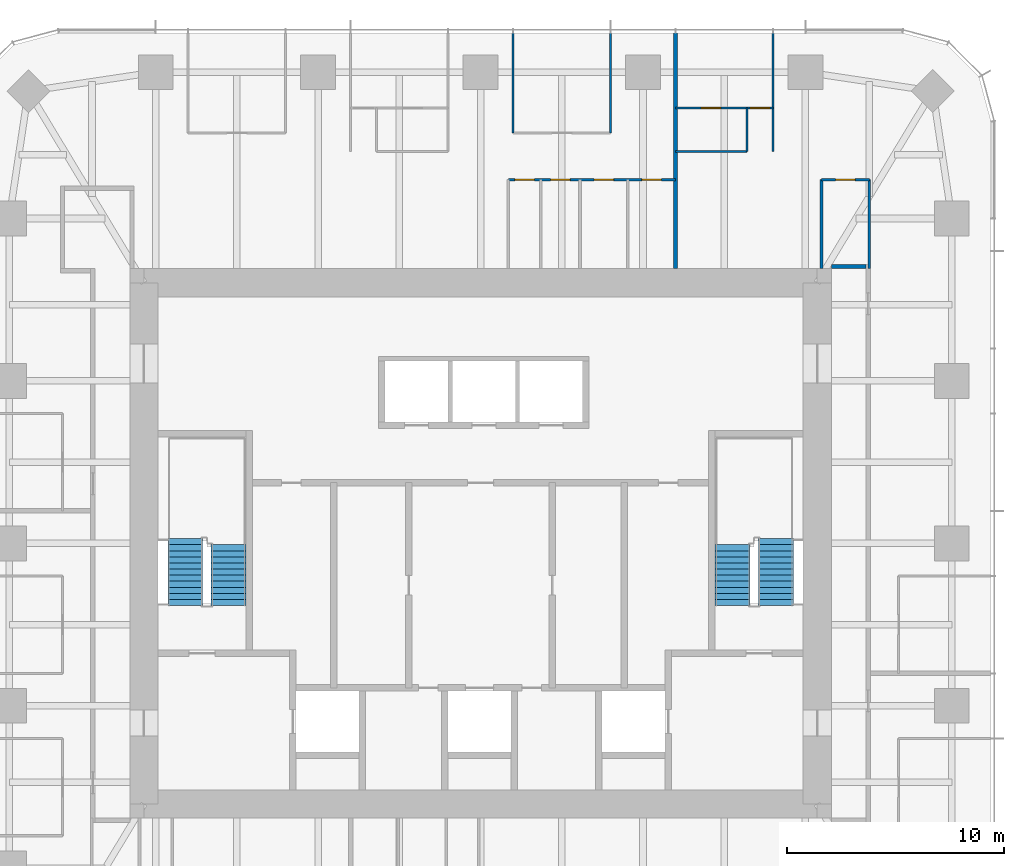
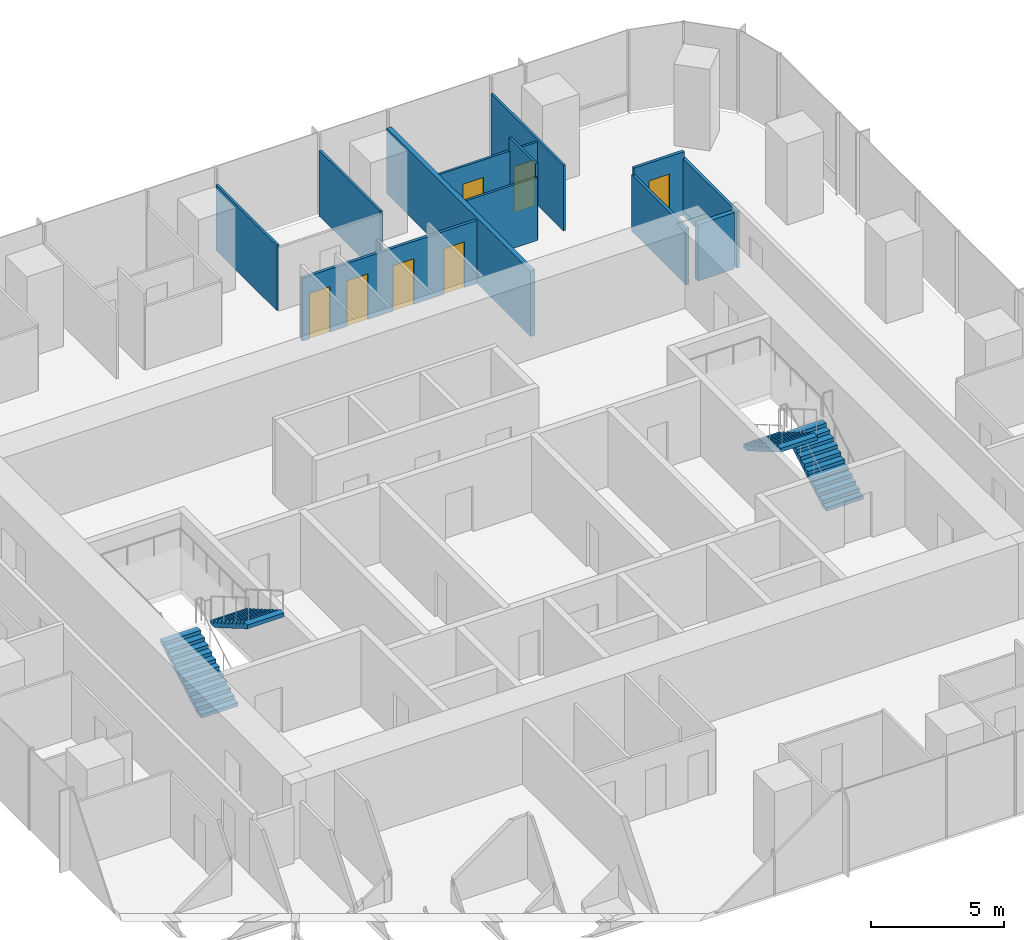
# One storey, part 11 of 12: 12 walls, 7 doors, 4 stair flights, 7 openings, 2 elements without a shape of their own.
"""IFC4 building model written with IfcOpenShell, lengths in metres."""

import ifcopenshell
import ifcopenshell.guid

model = None  # the IFC model being written
_history = None  # IfcOwnerHistory: only IFC2X3 demands one
_inside = {}  # id of a spatial element -> (the spatial element, [elements in it])
_under = {}  # id of a project, library or spatial element -> (it, [spatial elements below it])
_declared = {}  # id of a project -> (the project, [libraries it declares])
_typed = {}  # id of a type object -> (the type object, [elements of that type])
_made_of = {}  # id of a material, layer set ... -> (it, [elements and type objects made of it])


def new_model(schema):
    """Start an empty IFC model of exactly this schema.

    Asked for "IFC4X3", IfcOpenShell would pick the latest addendum, in which some entities
    have other attributes; the version numbers below select the first issue.
    IFC2X3 requires an IfcOwnerHistory on every rooted entity: one is made here for all.
    """
    global model, _history
    if schema == "IFC4X3":
        model = ifcopenshell.file(schema_version=(4, 3, 0, 0))
    else:
        model = ifcopenshell.file(schema=schema)
    _inside.clear()
    _under.clear()
    _declared.clear()
    _typed.clear()
    _made_of.clear()
    _history = None
    if model.schema == "IFC2X3":
        org = make("IfcOrganization", Name="unknown")
        user = make(
            "IfcPersonAndOrganization",
            ThePerson=make("IfcPerson", FamilyName="unknown"),
            TheOrganization=org,
        )
        app = make(
            "IfcApplication",
            ApplicationDeveloper=org,
            Version="unknown",
            ApplicationFullName="unknown",
            ApplicationIdentifier="unknown",
        )
        _history = make(
            "IfcOwnerHistory",
            OwningUser=user,
            OwningApplication=app,
            ChangeAction="ADDED",
            CreationDate=0,
        )
    return model


def make(cls, **values):
    """One entity of the class cls with the attributes given. An attribute that is None is left unset."""
    return model.create_entity(
        cls, **{name: value for name, value in values.items() if value is not None}
    )


def rooted(cls, **values):
    """An entity with a GlobalId (a new one), such as an element, a storey or a relation."""
    return make(cls, GlobalId=ifcopenshell.guid.new(), OwnerHistory=_history, **values)


def si_unit(unit_type, name, prefix=None):
    """IfcSIUnit, for example si_unit("LENGTHUNIT", "METRE", prefix="MILLI")."""
    return make("IfcSIUnit", UnitType=unit_type, Prefix=prefix, Name=name)


def assignment(units):
    """IfcUnitAssignment: the units of a project."""
    return None if units is None else make("IfcUnitAssignment", Units=units)


def point(xyz):
    """IfcCartesianPoint."""
    return None if xyz is None else make("IfcCartesianPoint", Coordinates=xyz)


def direction(xyz):
    """IfcDirection."""
    return None if xyz is None else make("IfcDirection", DirectionRatios=xyz)


def frame(location, z_axis=None, x_axis=None):
    """IfcAxis2Placement3D, a coordinate frame: its origin and axes. An axis left out is left unset."""
    return make(
        "IfcAxis2Placement3D",
        Location=point(location),
        Axis=direction(z_axis),
        RefDirection=direction(x_axis),
    )


def frame_2d(location, x_axis=None):
    """IfcAxis2Placement2D, a coordinate frame in the plane: its origin and x axis."""
    return make(
        "IfcAxis2Placement2D", Location=point(location), RefDirection=direction(x_axis)
    )


def origin():
    """The frame at (0, 0, 0) with its axes left unset."""
    return frame((0.0, 0.0, 0.0))


def place(relative_to, where):
    """IfcLocalPlacement: puts the frame where relative to a parent placement (None: the world)."""
    return make(
        "IfcLocalPlacement", PlacementRelTo=relative_to, RelativePlacement=where
    )


def context(
    kind, dimensions, precision=None, world=None, true_north=None, identifier=None
):
    """IfcGeometricRepresentationContext, for example the 3D "Model" context."""
    return make(
        "IfcGeometricRepresentationContext",
        ContextIdentifier=identifier,
        ContextType=kind,
        CoordinateSpaceDimension=dimensions,
        Precision=precision,
        WorldCoordinateSystem=world,
        TrueNorth=true_north,
    )


def subcontext(parent, identifier, kind, view, scale=None):
    """IfcGeometricRepresentationSubContext, for example "Body" below "Model"."""
    return make(
        "IfcGeometricRepresentationSubContext",
        ContextIdentifier=identifier,
        ContextType=kind,
        ParentContext=parent,
        TargetScale=scale,
        TargetView=view,
    )


def project(units=None, contexts=None):
    """IfcProject with its units and contexts."""
    return rooted(
        "IfcProject",
        Name="project",
        RepresentationContexts=contexts,
        UnitsInContext=assignment(units),
    )


def spatial(cls, under=None, at=None, **own):
    """A site, building, storey or space (cls), placed at a placement, below another one or the project."""
    s = rooted(cls, ObjectPlacement=at, **own)
    if under is not None:
        _under.setdefault(under.id(), (under, []))[1].append(s)
    return s


def polyline(points):
    """IfcPolyline through the points."""
    return make("IfcPolyline", Points=[point(p) for p in points])


def profile(cls, at=None, kind="AREA", **sizes):
    """A parametric profile (cls). Its sizes go by their IFC names, for example OverallWidth=200.0."""
    return make(cls, ProfileType=kind, Position=at, **sizes)


def rectangle(**sizes):
    """IfcRectangleProfileDef."""
    return profile("IfcRectangleProfileDef", **sizes)


def outline(outer, holes=None, kind="AREA"):
    """IfcArbitraryClosedProfileDef: a profile drawn as a closed curve; with holes, ...WithVoids."""
    if holes is None:
        return make("IfcArbitraryClosedProfileDef", ProfileType=kind, OuterCurve=outer)
    return make(
        "IfcArbitraryProfileDefWithVoids",
        ProfileType=kind,
        OuterCurve=outer,
        InnerCurves=holes,
    )


def extrude(swept, where, along, depth):
    """IfcExtrudedAreaSolid: the profile swept, set in the frame where, extruded along a direction by depth."""
    return make(
        "IfcExtrudedAreaSolid",
        SweptArea=swept,
        Position=where,
        ExtrudedDirection=direction(along),
        Depth=depth,
    )


def shape(context_of_items, identifier, shape_type, items):
    """IfcShapeRepresentation: the items that make up one representation, for example the "Body"."""
    return make(
        "IfcShapeRepresentation",
        ContextOfItems=context_of_items,
        RepresentationIdentifier=identifier,
        RepresentationType=shape_type,
        Items=items,
    )


def material(Name=None, Category=None):
    """IfcMaterial."""
    return make("IfcMaterial", Name=Name, Category=Category)


def layer(
    of_material, thickness, ventilated=None, Name=None, Category=None, Priority=None
):
    """IfcMaterialLayer: one layer of a wall or slab, of a material (None: an air gap)."""
    return make(
        "IfcMaterialLayer",
        Material=of_material,
        LayerThickness=thickness,
        IsVentilated=ventilated,
        Name=Name,
        Category=Category,
        Priority=Priority,
    )


def layer_set(layers, Name=None):
    """IfcMaterialLayerSet."""
    return make("IfcMaterialLayerSet", MaterialLayers=layers, LayerSetName=Name)


def made_of(thing, what):
    """Note that an element or type object is made of a material, layer set ...; save() writes the relation."""
    if what is not None:
        _made_of.setdefault(what.id(), (what, []))[1].append(thing)
    return thing


def type_object(cls, material=None, **own):
    """A type object (cls), such as IfcWallType, which elements share."""
    return made_of(rooted(cls, **own), material)


def element(
    cls,
    number,
    at=None,
    inside=None,
    cuts=None,
    type_object=None,
    material=None,
    context=None,
    identifier="Body",
    shape_type=None,
    held_by="IfcProductDefinitionShape",
    body=None,
    shapes=None,
    **own,
):
    """One element of the class cls, such as IfcWall. Its Tag is "e" and its number.

    at: its placement. inside: the storey or other place that contains it. cuts: it is an
    opening in that element (IfcRelVoidsElement). A single representation is given by context,
    identifier, shape_type and body (its items); several are given by shapes. held_by: the class
    of the entity that holds the representations. save() writes the other relations.
    """
    e = rooted(cls, Tag="e%d" % number, ObjectPlacement=at, **own)
    if body is not None:
        shapes = [shape(context, identifier, shape_type, body)]
    if shapes is not None:
        e.Representation = make(held_by, Representations=shapes)
    if inside is not None:
        _inside.setdefault(inside.id(), (inside, []))[1].append(e)
    if cuts is not None:
        rooted(
            "IfcRelVoidsElement", RelatingBuildingElement=cuts, RelatedOpeningElement=e
        )
    if type_object is not None:
        _typed.setdefault(type_object.id(), (type_object, []))[1].append(e)
    return made_of(e, material)


def fill(opening, filler):
    """IfcRelFillsElement: the door or window that sits in an opening."""
    return rooted(
        "IfcRelFillsElement",
        RelatingOpeningElement=opening,
        RelatedBuildingElement=filler,
    )


def aggregate(whole, parts):
    """IfcRelAggregates: a whole, such as a stair, and the parts it consists of."""
    return rooted("IfcRelAggregates", RelatingObject=whole, RelatedObjects=parts)


def save(model, path):
    """Write the relations noted so far, then the file.

    IfcRelAggregates (storeys below a building ...), IfcRelContainedInSpatialStructure (elements
    in a storey), IfcRelDefinesByType, IfcRelAssociatesMaterial and IfcRelDeclares: one each for
    every whole, place, type object, material and project.
    """
    for whole, parts in _under.values():
        aggregate(whole, parts)
    for where, things in _inside.values():
        rooted(
            "IfcRelContainedInSpatialStructure",
            RelatedElements=things,
            RelatingStructure=where,
        )
    for kind, things in _typed.values():
        rooted("IfcRelDefinesByType", RelatedObjects=things, RelatingType=kind)
    for what, things in _made_of.values():
        rooted("IfcRelAssociatesMaterial", RelatedObjects=things, RelatingMaterial=what)
    for by, libraries in _declared.values():
        rooted("IfcRelDeclares", RelatingContext=by, RelatedDefinitions=libraries)
    model.write(path)


model = new_model("IFC4")

# Units and contexts
model_context = context("Model", 3, precision=1e-05, world=origin(), true_north=direction((0.0, 1.0)))
body_context = subcontext(model_context, "Body", "Model", "MODEL_VIEW")
ifc_project = project(units=[si_unit("LENGTHUNIT", "METRE"), si_unit("AREAUNIT", "SQUARE_METRE"), si_unit("VOLUMEUNIT", "CUBIC_METRE"), si_unit("PLANEANGLEUNIT", "RADIAN"), si_unit("MASSUNIT", "GRAM", prefix="KILO")], contexts=[model_context])

# Site, building, storey
site_placement = place(None, origin())
site = spatial("IfcSite", under=ifc_project, at=site_placement, CompositionType="ELEMENT")
building_placement = place(site_placement, origin())
building = spatial("IfcBuilding", under=site, at=building_placement, Name="Khuree Lantern Residences", CompositionType="ELEMENT")
storey_placement = place(building_placement, frame((0.0, 0.0, 312.0)))
storey = spatial("IfcBuildingStorey", under=building, at=storey_placement, Name="L78", CompositionType="ELEMENT", Elevation=312.0)

# Wall, opening, door
ifc_material_1 = material(Name="Moisture-resistant gypsum board on steel studs", Category="steel")
ifc_layer_1 = layer(ifc_material_1, 0.125)
ifc_layer_set_1 = layer_set([ifc_layer_1], Name="BATHROOM WALL BTW125")
wall_type_1 = type_object("IfcWallType", Name="BATHROOM WALL BTW125", PredefinedType="PARTITIONING", material=ifc_layer_set_1)
wall_1_placement = place(storey_placement, frame((17.89990234375, 16.746337890625, 0.0), z_axis=(0.0, 0.0, 1.0), x_axis=(-1.0, 0.0, 0.0)))
wall_1 = element("IfcWall", 1, at=wall_1_placement, inside=storey, type_object=wall_type_1, Name="L78 BATHROOM WALL 01", PredefinedType="PARTITIONING", context=body_context, shape_type="SweptSolid", body=[
    extrude(rectangle(XDim=2.199951171875, YDim=0.125, at=frame_2d((1.10009765625, 0.0))), origin(), (0.0, 0.0, 1.0), 2.909912109375),
])
opening_1_placement = place(wall_1_placement, frame((0.64990234375, 0.0, 0.0)))
opening_1 = element("IfcOpeningElement", 2, at=opening_1_placement, cuts=wall_1, Name="Opening 78-023", PredefinedType="OPENING", context=body_context, shape_type="SweptSolid", body=[
    extrude(rectangle(XDim=0.89990234375, YDim=2.10009765625, at=frame_2d((0.449951171875, 1.050048828125))), frame((0.0, 0.072509765625, 0.0), z_axis=(0.0, -1.0, 0.0), x_axis=(1.0, 0.0, 0.0)), (0.0, 0.0, 1.0), 0.14501953125),
])
ifc_material_2 = material(Name="Timber door leaf in hardwood frame", Category="wood")
door_type_1 = type_object("IfcDoorType", Name="BATHROOM DOOR 900X2100", OperationType="SINGLE_SWING_LEFT", PredefinedType="DOOR", material=ifc_material_2)
door_1_placement = place(opening_1_placement, origin())
door_1 = element("IfcDoor", 3, at=door_1_placement, inside=storey, type_object=door_type_1, Name="Bathroom door 78-023", OperationType="SINGLE_SWING_LEFT", OverallHeight=2.10009765625, OverallWidth=0.89990234375, PredefinedType="DOOR", context=body_context, shape_type="SweptSolid", body=[
    extrude(rectangle(XDim=0.89990234375, YDim=2.10009765625, at=frame_2d((0.449951171875, 1.050048828125))), frame((0.0, 0.02490234375, 0.0), z_axis=(0.0, -1.0, 0.0), x_axis=(1.0, 0.0, 0.0)), (0.0, 0.0, 1.0), 0.050048828125),
])
fill(opening_1, door_1)

# Walls
for number, where, z_axis, x_axis, name in (
    (4, (17.89990234375, 12.64990234375, 0.0), (0.0, 0.0, 1.0), (0.0, 1.0, 0.0), "L78 BATHROOM WALL 01"),
    (5, (15.699951171875, 12.64990234375, 0.0), (0.0, 0.0, 1.0), (0.0, 1.0, 0.0), "L78 BATHROOM WALL 01"),
):
    element("IfcWall", number, at=place(storey_placement, frame(where, z_axis=z_axis, x_axis=x_axis)), inside=storey, type_object=wall_type_1, Name=name, PredefinedType="PARTITIONING", context=body_context, shape_type="SweptSolid", body=[
        extrude(rectangle(XDim=4.096435546875, YDim=0.125, at=frame_2d((2.04833984375, 0.0))), origin(), (0.0, 0.0, 1.0), 2.60009765625),
    ])

# Wall, openings, doors
wall_2_placement = place(storey_placement, frame((8.97607421875, 16.746337890625, 0.0), z_axis=(0.0, 0.0, 1.0), x_axis=(-1.0, 0.0, 0.0)))
wall_2 = element("IfcWall", 6, at=wall_2_placement, inside=storey, type_object=wall_type_1, Name="L78 BATHROOM WALL 02", PredefinedType="PARTITIONING", context=body_context, shape_type="SweptSolid", body=[
    extrude(rectangle(XDim=7.7001953125, YDim=0.125, at=frame_2d((3.85009765625, 0.0))), origin(), (0.0, 0.0, 1.0), 2.89990234375),
])
opening_2_placement = place(wall_2_placement, frame((0.64990234375, 0.0, 0.0)))
opening_2 = element("IfcOpeningElement", 7, at=opening_2_placement, cuts=wall_2, Name="Opening 78-030", PredefinedType="OPENING", context=body_context, shape_type="SweptSolid", body=[
    extrude(rectangle(XDim=0.89990234375, YDim=2.10009765625, at=frame_2d((0.449951171875, 1.050048828125))), frame((0.0, 0.072509765625, 0.0), z_axis=(0.0, -1.0, 0.0), x_axis=(1.0, 0.0, 0.0)), (0.0, 0.0, 1.0), 0.14501953125),
])
opening_3_placement = place(wall_2_placement, frame((2.85009765625, 0.0, 0.0)))
opening_3 = element("IfcOpeningElement", 8, at=opening_3_placement, cuts=wall_2, Name="Opening 78-031", PredefinedType="OPENING", context=body_context, shape_type="SweptSolid", body=[
    extrude(rectangle(XDim=0.89990234375, YDim=2.10009765625, at=frame_2d((0.449951171875, 1.050048828125))), frame((0.0, 0.072509765625, 0.0), z_axis=(0.0, -1.0, 0.0), x_axis=(1.0, 0.0, 0.0)), (0.0, 0.0, 1.0), 0.14501953125),
])
opening_4_placement = place(wall_2_placement, frame((4.85009765625, 0.0, 0.0)))
opening_4 = element("IfcOpeningElement", 9, at=opening_4_placement, cuts=wall_2, Name="Opening 78-032", PredefinedType="OPENING", context=body_context, shape_type="SweptSolid", body=[
    extrude(rectangle(XDim=0.89990234375, YDim=2.10009765625, at=frame_2d((0.449951171875, 1.050048828125))), frame((0.0, 0.072509765625, 0.0), z_axis=(0.0, -1.0, 0.0), x_axis=(1.0, 0.0, 0.0)), (0.0, 0.0, 1.0), 0.14501953125),
])
opening_5_placement = place(wall_2_placement, frame((6.5, 0.0, 0.0)))
opening_5 = element("IfcOpeningElement", 10, at=opening_5_placement, cuts=wall_2, Name="Opening 78-033", PredefinedType="OPENING", context=body_context, shape_type="SweptSolid", body=[
    extrude(rectangle(XDim=0.89990234375, YDim=2.10009765625, at=frame_2d((0.449951171875, 1.050048828125))), frame((0.0, 0.072509765625, 0.0), z_axis=(0.0, -1.0, 0.0), x_axis=(1.0, 0.0, 0.0)), (0.0, 0.0, 1.0), 0.14501953125),
])
door_2_placement = place(opening_2_placement, origin())
door_2 = element("IfcDoor", 11, at=door_2_placement, inside=storey, type_object=door_type_1, Name="Bathroom door 78-030", OperationType="SINGLE_SWING_LEFT", OverallHeight=2.10009765625, OverallWidth=0.89990234375, PredefinedType="DOOR", context=body_context, shape_type="SweptSolid", body=[
    extrude(rectangle(XDim=0.89990234375, YDim=2.10009765625, at=frame_2d((0.449951171875, 1.050048828125))), frame((0.0, 0.02490234375, 0.0), z_axis=(0.0, -1.0, 0.0), x_axis=(1.0, 0.0, 0.0)), (0.0, 0.0, 1.0), 0.050048828125),
])
fill(opening_2, door_2)
door_3_placement = place(opening_3_placement, origin())
door_3 = element("IfcDoor", 12, at=door_3_placement, inside=storey, type_object=door_type_1, Name="Bathroom door 78-031", OperationType="SINGLE_SWING_LEFT", OverallHeight=2.10009765625, OverallWidth=0.89990234375, PredefinedType="DOOR", context=body_context, shape_type="SweptSolid", body=[
    extrude(rectangle(XDim=0.89990234375, YDim=2.10009765625, at=frame_2d((0.449951171875, 1.050048828125))), frame((0.0, 0.02490234375, 0.0), z_axis=(0.0, -1.0, 0.0), x_axis=(1.0, 0.0, 0.0)), (0.0, 0.0, 1.0), 0.050048828125),
])
fill(opening_3, door_3)
door_type_2 = type_object("IfcDoorType", Name="DOOR 900X2100", OperationType="SINGLE_SWING_LEFT", PredefinedType="DOOR", material=ifc_material_2)
door_4_placement = place(opening_4_placement, origin())
door_4 = element("IfcDoor", 13, at=door_4_placement, inside=storey, type_object=door_type_2, Name="Store door 78-032", OperationType="SINGLE_SWING_LEFT", OverallHeight=2.10009765625, OverallWidth=0.89990234375, PredefinedType="DOOR", context=body_context, shape_type="SweptSolid", body=[
    extrude(rectangle(XDim=0.89990234375, YDim=2.10009765625, at=frame_2d((0.449951171875, 1.050048828125))), frame((0.0, 0.02490234375, 0.0), z_axis=(0.0, -1.0, 0.0), x_axis=(1.0, 0.0, 0.0)), (0.0, 0.0, 1.0), 0.050048828125),
])
fill(opening_4, door_4)
door_type_3 = type_object("IfcDoorType", Name="WC DOOR 900X2100", OperationType="SINGLE_SWING_LEFT", PredefinedType="DOOR", material=ifc_material_2)
door_5_placement = place(opening_5_placement, origin())
door_5 = element("IfcDoor", 14, at=door_5_placement, inside=storey, type_object=door_type_3, Name="WC door 78-033", OperationType="SINGLE_SWING_LEFT", OverallHeight=2.10009765625, OverallWidth=0.89990234375, PredefinedType="DOOR", context=body_context, shape_type="SweptSolid", body=[
    extrude(rectangle(XDim=0.89990234375, YDim=2.10009765625, at=frame_2d((0.449951171875, 1.050048828125))), frame((0.0, 0.02490234375, 0.0), z_axis=(0.0, -1.0, 0.0), x_axis=(1.0, 0.0, 0.0)), (0.0, 0.0, 1.0), 0.050048828125),
])
fill(opening_5, door_5)

# Walls
ifc_material_3 = material(Name="Gypsum board on steel studs", Category="steel")
ifc_layer_2 = layer(ifc_material_3, 0.199951171875)
ifc_layer_set_2 = layer_set([ifc_layer_2], Name="CORRIDOR WALL CRW200 EI 60")
wall_type_2 = type_object("IfcWallType", Name="CORRIDOR WALL CRW200 EI 60", PredefinedType="PARTITIONING", material=ifc_layer_set_2)
wall_3_placement = place(storey_placement, frame((16.14990234375, 12.75, 0.0), z_axis=(0.0, 0.0, 1.0), x_axis=(1.0, 0.0, 0.0)))
element("IfcWall", 15, at=wall_3_placement, inside=storey, type_object=wall_type_2, Name="L78 EAST CORRIDOR NORTH END WALL", PredefinedType="PARTITIONING", context=body_context, shape_type="SweptSolid", body=[
    extrude(rectangle(XDim=1.60009765625, YDim=0.199951171875, at=frame_2d((0.800048828125, 0.0))), origin(), (0.0, 0.0, 1.0), 2.60009765625),
])
ifc_layer_3 = layer(ifc_material_3, 0.199951171875)
ifc_layer_set_3 = layer_set([ifc_layer_3], Name="DEMISING WALL DMW200 EI 90")
wall_type_3 = type_object("IfcWallType", Name="DEMISING WALL DMW200 EI 90", PredefinedType="PARTITIONING", material=ifc_layer_set_3)
wall_4_placement = place(storey_placement, frame((8.97607421875, 12.64990234375, 0.0), z_axis=(0.0, 0.0, 1.0), x_axis=(0.0, 1.0, 0.0)))
element("IfcWall", 16, at=wall_4_placement, inside=storey, type_object=wall_type_3, Name="L78 DEMISING WALL 02", PredefinedType="PARTITIONING", context=body_context, shape_type="SweptSolid", body=[
    extrude(rectangle(XDim=10.85009765625, YDim=0.199951171875, at=frame_2d((5.425048828125, 0.0))), origin(), (0.0, 0.0, 1.0), 3.010009765625),
])
ifc_layer_4 = layer(ifc_material_3, 0.10009765625)
ifc_layer_set_4 = layer_set([ifc_layer_4], Name="PARTITION PT100")
wall_type_4 = type_object("IfcWallType", Name="PARTITION PT100", PredefinedType="PARTITIONING", material=ifc_layer_set_4)
wall_5_placement = place(storey_placement, frame((13.464111328125, 18.04638671875, 0.0), z_axis=(0.0, 0.0, 1.0), x_axis=(0.0, 1.0, 0.0)))
element("IfcWall", 17, at=wall_5_placement, inside=storey, type_object=wall_type_4, Name="L78 PARTITION 01", PredefinedType="PARTITIONING", context=body_context, shape_type="SweptSolid", body=[
    extrude(rectangle(XDim=5.45361328125, YDim=0.10009765625, at=frame_2d((2.726806640625, 0.0))), origin(), (0.0, 0.0, 1.0), 3.010009765625),
])
for number, where, z_axis, x_axis, name in (
    (18, (5.98388671875, 18.89990234375, 0.0), (0.0, 0.0, 1.0), (0.0, 1.0, 0.0), "L78 PARTITION 02"),
    (19, (1.49609375, 18.89990234375, 0.0), (0.0, 0.0, 1.0), (0.0, 1.0, 0.0), "L78 PARTITION 02"),
):
    element("IfcWall", number, at=place(storey_placement, frame(where, z_axis=z_axis, x_axis=x_axis)), inside=storey, type_object=wall_type_4, Name=name, PredefinedType="PARTITIONING", context=body_context, shape_type="SweptSolid", body=[
        extrude(rectangle(XDim=4.60009765625, YDim=0.10009765625, at=frame_2d((2.300048828125, 0.0))), origin(), (0.0, 0.0, 1.0), 3.010009765625),
    ])

# Wall, openings, doors
wall_6_placement = place(storey_placement, frame((13.464111328125, 20.04638671875, 0.0), z_axis=(0.0, 0.0, 1.0), x_axis=(-1.0, 0.0, 0.0)))
wall_6 = element("IfcWall", 20, at=wall_6_placement, inside=storey, type_object=wall_type_4, Name="L78 PARTITION 01", PredefinedType="PARTITIONING", context=body_context, shape_type="SweptSolid", body=[
    extrude(rectangle(XDim=4.488037109375, YDim=0.10009765625, at=frame_2d((2.244140625, 0.0))), origin(), (0.0, 0.0, 1.0), 2.909912109375),
])
opening_6_placement = place(wall_6_placement, frame((0.14990234375, 0.0, 0.0)))
opening_6 = element("IfcOpeningElement", 21, at=opening_6_placement, cuts=wall_6, Name="Opening 78-021", PredefinedType="OPENING", context=body_context, shape_type="SweptSolid", body=[
    extrude(rectangle(XDim=0.89990234375, YDim=2.10009765625, at=frame_2d((0.449951171875, 1.050048828125))), frame((0.0, 0.06005859375, 0.0), z_axis=(0.0, -1.0, 0.0), x_axis=(1.0, 0.0, 0.0)), (0.0, 0.0, 1.0), 0.1201171875),
])
opening_7_placement = place(wall_6_placement, frame((2.39404296875, 0.0, 0.0)))
opening_7 = element("IfcOpeningElement", 22, at=opening_7_placement, cuts=wall_6, Name="Opening 78-022", PredefinedType="OPENING", context=body_context, shape_type="SweptSolid", body=[
    extrude(rectangle(XDim=0.89990234375, YDim=2.10009765625, at=frame_2d((0.449951171875, 1.050048828125))), frame((0.0, 0.06005859375, 0.0), z_axis=(0.0, -1.0, 0.0), x_axis=(1.0, 0.0, 0.0)), (0.0, 0.0, 1.0), 0.1201171875),
])
door_type_4 = type_object("IfcDoorType", Name="BEDROOM DOOR 900X2100", OperationType="SINGLE_SWING_LEFT", PredefinedType="DOOR", material=ifc_material_2)
door_6_placement = place(opening_6_placement, origin())
door_6 = element("IfcDoor", 23, at=door_6_placement, inside=storey, type_object=door_type_4, Name="Bedroom door 78-021", OperationType="SINGLE_SWING_LEFT", OverallHeight=2.10009765625, OverallWidth=0.89990234375, PredefinedType="DOOR", context=body_context, shape_type="SweptSolid", body=[
    extrude(rectangle(XDim=0.89990234375, YDim=2.10009765625, at=frame_2d((0.449951171875, 1.050048828125))), frame((0.0, 0.02490234375, 0.0), z_axis=(0.0, -1.0, 0.0), x_axis=(1.0, 0.0, 0.0)), (0.0, 0.0, 1.0), 0.050048828125),
])
fill(opening_6, door_6)
door_type_5 = type_object("IfcDoorType", Name="DOOR 900X2100 RIGHT HAND", OperationType="SINGLE_SWING_RIGHT", PredefinedType="DOOR", material=ifc_material_2)
door_7_placement = place(opening_7_placement, origin())
door_7 = element("IfcDoor", 24, at=door_7_placement, inside=storey, type_object=door_type_5, Name="Wardrobe door 78-022", OperationType="SINGLE_SWING_RIGHT", OverallHeight=2.10009765625, OverallWidth=0.89990234375, PredefinedType="DOOR", context=body_context, shape_type="SweptSolid", body=[
    extrude(rectangle(XDim=0.89990234375, YDim=2.10009765625, at=frame_2d((0.449951171875, 1.050048828125))), frame((0.0, 0.02490234375, 0.0), z_axis=(0.0, -1.0, 0.0), x_axis=(1.0, 0.0, 0.0)), (0.0, 0.0, 1.0), 0.050048828125),
])
fill(opening_7, door_7)

# Walls
wall_7_placement = place(storey_placement, frame((12.263916015625, 18.04638671875, 0.0), z_axis=(0.0, 0.0, 1.0), x_axis=(0.0, 1.0, 0.0)))
element("IfcWall", 25, at=wall_7_placement, inside=storey, type_object=wall_type_4, Name="L78 PARTITION 01", PredefinedType="PARTITIONING", context=body_context, shape_type="SweptSolid", body=[
    extrude(rectangle(XDim=2.0, YDim=0.10009765625, at=frame_2d((1.0, 0.0))), origin(), (0.0, 0.0, 1.0), 3.5),
])
wall_8_placement = place(storey_placement, frame((12.263916015625, 18.04638671875, 0.0), z_axis=(0.0, 0.0, 1.0), x_axis=(-1.0, 0.0, 0.0)))
element("IfcWall", 26, at=wall_8_placement, inside=storey, type_object=wall_type_4, Name="L78 PARTITION 01", PredefinedType="PARTITIONING", context=body_context, shape_type="SweptSolid", body=[
    extrude(rectangle(XDim=3.287841796875, YDim=0.10009765625, at=frame_2d((1.64404296875, 0.0))), origin(), (0.0, 0.0, 1.0), 2.909912109375),
])

# Stair, stair flights
ifc_material_4 = material(Name="Concrete C40/50", Category="concrete")
stair_type = type_object("IfcStairType", Name="STAIR ST1 HALF TURN 3600", PredefinedType="HALF_TURN_STAIR", material=ifc_material_4)
stair_1_placement = place(storey_placement, origin())
stair_1 = element("IfcStair", 27, at=stair_1_placement, inside=storey, type_object=stair_type, Name="Stair ST1", PredefinedType="HALF_TURN_STAIR")
stair_flight_type = type_object("IfcStairFlightType", Name="STAIR FLIGHT SF1 1600", PredefinedType="STRAIGHT", material=ifc_material_4)
stair_flight_1_placement = place(storey_placement, frame((-13.60009765625, -2.860107421875, 0.0), z_axis=(0.0, 0.0, 1.0), x_axis=(0.0, 1.0, 0.0)))
stair_flight_1 = element("IfcStairFlight", 28, at=stair_flight_1_placement, type_object=stair_flight_type, Name="ST1 flight 1", NumberOfRisers=12, NumberOfTreads=11, PredefinedType="STRAIGHT", RiserHeight=0.163043478, TreadLength=0.28, context=body_context, shape_type="SweptSolid", body=[
    extrude(outline(polyline([(0.0, 0.0), (0.0, 0.1630859375), (0.280029296875, 0.1630859375), (0.280029296875, 0.326171875), (0.56005859375, 0.326171875), (0.56005859375, 0.489013671875), (0.840087890625, 0.489013671875), (0.840087890625, 0.652099609375), (1.1201171875, 0.652099609375), (1.1201171875, 0.815185546875), (1.39990234375, 0.815185546875), (1.39990234375, 0.978271484375), (1.679931640625, 0.978271484375), (1.679931640625, 1.141357421875), (1.9599609375, 1.141357421875), (1.9599609375, 1.304443359375), (2.239990234375, 1.304443359375), (2.239990234375, 1.46728515625), (2.52001953125, 1.46728515625), (2.52001953125, 1.63037109375), (2.800048828125, 1.63037109375), (2.800048828125, 1.79345703125), (3.080078125, 1.79345703125), (3.080078125, 1.95654296875), (3.080078125, 1.6201171875), (0.2978515625, 0.0), (0.0, 0.0)])), frame((0.0, 0.800048828125, 0.0), z_axis=(0.0, -1.0, 0.0), x_axis=(1.0, 0.0, 0.0)), (0.0, 0.0, 1.0), 1.60009765625),
])
stair_flight_2_placement = place(storey_placement, frame((-11.60009765625, -0.06005859375, 1.95654296875), z_axis=(0.0, 0.0, 1.0), x_axis=(0.0, -1.0, 0.0)))
stair_flight_2 = element("IfcStairFlight", 29, at=stair_flight_2_placement, type_object=stair_flight_type, Name="ST1 flight 2", NumberOfRisers=11, NumberOfTreads=10, PredefinedType="STRAIGHT", RiserHeight=0.163043478, TreadLength=0.28, context=body_context, shape_type="SweptSolid", body=[
    extrude(outline(polyline([(0.0, 0.0), (0.0, 0.1630859375), (0.280029296875, 0.1630859375), (0.280029296875, 0.326171875), (0.56005859375, 0.326171875), (0.56005859375, 0.489013671875), (0.840087890625, 0.489013671875), (0.840087890625, 0.652099609375), (1.1201171875, 0.652099609375), (1.1201171875, 0.815185546875), (1.39990234375, 0.815185546875), (1.39990234375, 0.978271484375), (1.679931640625, 0.978271484375), (1.679931640625, 1.141357421875), (1.9599609375, 1.141357421875), (1.9599609375, 1.304443359375), (2.239990234375, 1.304443359375), (2.239990234375, 1.46728515625), (2.52001953125, 1.46728515625), (2.52001953125, 1.63037109375), (2.800048828125, 1.63037109375), (2.800048828125, 1.79345703125), (2.800048828125, 1.45703125), (0.2978515625, 0.0), (0.0, 0.0)])), frame((0.0, 0.800048828125, 0.0), z_axis=(0.0, -1.0, 0.0), x_axis=(1.0, 0.0, 0.0)), (0.0, 0.0, 1.0), 1.60009765625),
])
aggregate(stair_1, [stair_flight_1, stair_flight_2])

stair_2_placement = place(storey_placement, origin())
stair_2 = element("IfcStair", 30, at=stair_2_placement, inside=storey, type_object=stair_type, Name="Stair ST2", PredefinedType="HALF_TURN_STAIR")
stair_flight_3_placement = place(storey_placement, frame((13.60009765625, -2.860107421875, 0.0), z_axis=(0.0, 0.0, 1.0), x_axis=(0.0, 1.0, 0.0)))
stair_flight_3 = element("IfcStairFlight", 31, at=stair_flight_3_placement, type_object=stair_flight_type, Name="ST2 flight 1", NumberOfRisers=12, NumberOfTreads=11, PredefinedType="STRAIGHT", RiserHeight=0.163043478, TreadLength=0.28, context=body_context, shape_type="SweptSolid", body=[
    extrude(outline(polyline([(0.0, 0.0), (0.0, 0.1630859375), (0.280029296875, 0.1630859375), (0.280029296875, 0.326171875), (0.56005859375, 0.326171875), (0.56005859375, 0.489013671875), (0.840087890625, 0.489013671875), (0.840087890625, 0.652099609375), (1.1201171875, 0.652099609375), (1.1201171875, 0.815185546875), (1.39990234375, 0.815185546875), (1.39990234375, 0.978271484375), (1.679931640625, 0.978271484375), (1.679931640625, 1.141357421875), (1.9599609375, 1.141357421875), (1.9599609375, 1.304443359375), (2.239990234375, 1.304443359375), (2.239990234375, 1.46728515625), (2.52001953125, 1.46728515625), (2.52001953125, 1.63037109375), (2.800048828125, 1.63037109375), (2.800048828125, 1.79345703125), (3.080078125, 1.79345703125), (3.080078125, 1.95654296875), (3.080078125, 1.6201171875), (0.2978515625, 0.0), (0.0, 0.0)])), frame((0.0, 0.800048828125, 0.0), z_axis=(0.0, -1.0, 0.0), x_axis=(1.0, 0.0, 0.0)), (0.0, 0.0, 1.0), 1.60009765625),
])
stair_flight_4_placement = place(storey_placement, frame((11.60009765625, -0.06005859375, 1.95654296875), z_axis=(0.0, 0.0, 1.0), x_axis=(0.0, -1.0, 0.0)))
stair_flight_4 = element("IfcStairFlight", 32, at=stair_flight_4_placement, type_object=stair_flight_type, Name="ST2 flight 2", NumberOfRisers=11, NumberOfTreads=10, PredefinedType="STRAIGHT", RiserHeight=0.163043478, TreadLength=0.28, context=body_context, shape_type="SweptSolid", body=[
    extrude(outline(polyline([(0.0, 0.0), (0.0, 0.1630859375), (0.280029296875, 0.1630859375), (0.280029296875, 0.326171875), (0.56005859375, 0.326171875), (0.56005859375, 0.489013671875), (0.840087890625, 0.489013671875), (0.840087890625, 0.652099609375), (1.1201171875, 0.652099609375), (1.1201171875, 0.815185546875), (1.39990234375, 0.815185546875), (1.39990234375, 0.978271484375), (1.679931640625, 0.978271484375), (1.679931640625, 1.141357421875), (1.9599609375, 1.141357421875), (1.9599609375, 1.304443359375), (2.239990234375, 1.304443359375), (2.239990234375, 1.46728515625), (2.52001953125, 1.46728515625), (2.52001953125, 1.63037109375), (2.800048828125, 1.63037109375), (2.800048828125, 1.79345703125), (2.800048828125, 1.45703125), (0.2978515625, 0.0), (0.0, 0.0)])), frame((0.0, 0.800048828125, 0.0), z_axis=(0.0, -1.0, 0.0), x_axis=(1.0, 0.0, 0.0)), (0.0, 0.0, 1.0), 1.60009765625),
])
aggregate(stair_2, [stair_flight_3, stair_flight_4])

save(model, "model.ifc")
